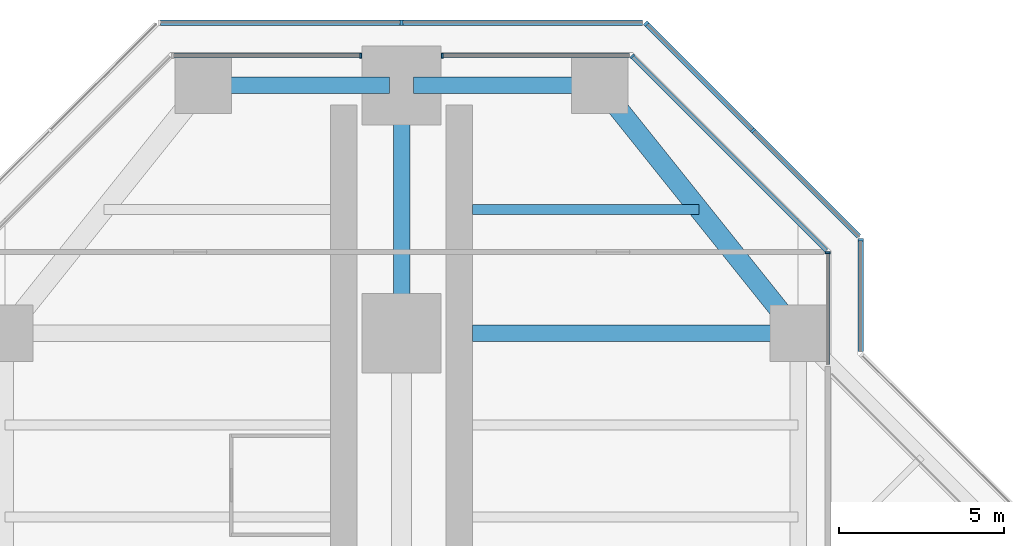
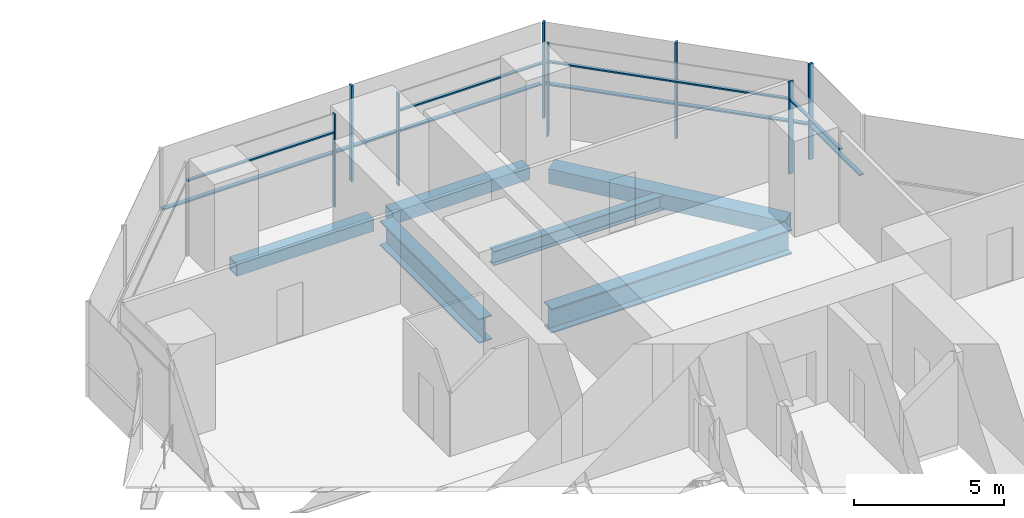
# One storey, part 10 of 19: 17 members, 6 beams, 7 elements without a shape of their own.
"""IFC4 building model written with IfcOpenShell, lengths in metres."""

from ifc_helpers import new_model, si_unit, direction, frame, origin, origin_2d, place, context, subcontext, project, spatial, rectangle, hollow_rectangle, i_section, extrude, material, material_profile, profile_set, type_object, element, aggregate, save


model = new_model("IFC4")

# Units and contexts
model_context = context("Model", 3, precision=1e-05, world=origin(), true_north=direction((0.0, 1.0)))
body_context = subcontext(model_context, "Body", "Model", "MODEL_VIEW")
ifc_project = project(units=[si_unit("LENGTHUNIT", "METRE"), si_unit("AREAUNIT", "SQUARE_METRE"), si_unit("VOLUMEUNIT", "CUBIC_METRE"), si_unit("PLANEANGLEUNIT", "RADIAN"), si_unit("MASSUNIT", "GRAM", prefix="KILO")], contexts=[model_context])

# Site, building, storey
site_placement = place(None, origin())
site = spatial("IfcSite", under=ifc_project, at=site_placement, CompositionType="ELEMENT")
building_placement = place(site_placement, origin())
building = spatial("IfcBuilding", under=site, at=building_placement, Name="Mizan Broadcast Tower", CompositionType="ELEMENT")
storey_placement = place(building_placement, frame((0.0, 0.0, 159.300048828125)))
storey = spatial("IfcBuildingStorey", under=building, at=storey_placement, Name="L36", CompositionType="ELEMENT", Elevation=159.300048828125)

# Beams
ifc_material_1 = material(Name="Steel S355", Category="steel")
ifc_material_profile_1 = material_profile(ifc_material_1, hollow_rectangle(XDim=0.5, YDim=0.5, WallThickness=0.030029296875, at=origin_2d()), Name="BOX 500x500x30")
ifc_profile_set_1 = profile_set([ifc_material_profile_1], Name="Steel S355")
beam_type_1 = type_object("IfcBeamType", Name="EDGE BEAM BOX 500x500x30", PredefinedType="SPANDREL", material=ifc_profile_set_1)
for number, where, z_axis, x_axis, name in (
    (1, (5.639892578125, 27.0, -0.380126953125), (-1.0, 0.0, 0.0), (0.0, -1.0, 0.0), "Edge beam BOX 500x500x30 L36 north arm"),
    (2, (-5.639892578125, 27.0, -0.380126953125), (1.0, 0.0, 0.0), (0.0, 1.0, 0.0), "Edge beam BOX 500x500x30 L36 north arm"),
):
    element("IfcBeam", number, at=place(storey_placement, frame(where, z_axis=z_axis, x_axis=x_axis)), inside=storey, type_object=beam_type_1, Name=name, PredefinedType="SPANDREL", context=body_context, shape_type="SweptSolid", body=[
        extrude(hollow_rectangle(XDim=0.5, YDim=0.5, WallThickness=0.030029296875, at=origin_2d()), origin(), (0.0, 0.0, 1.0), 5.27978515625),
    ])
ifc_material_2 = material(Name="Steel S355", Category="steel")
ifc_material_profile_2 = material_profile(ifc_material_2, hollow_rectangle(XDim=0.60009765625, YDim=0.60009765625, WallThickness=0.030029296875, at=origin_2d()), Name="BOX 600x600x30")
ifc_profile_set_2 = profile_set([ifc_material_profile_2], Name="Steel S355")
beam_type_2 = type_object("IfcBeamType", Name="EDGE BEAM BOX 600x600x30", PredefinedType="SPANDREL", material=ifc_profile_set_2)
beam_1_placement = place(storey_placement, frame((11.639892578125, 19.949951171875, -0.429931640625), z_axis=(-0.624673911726, 0.780885717636, 0.0), x_axis=(-0.780885717636, -0.624673911726, 0.0)))
element("IfcBeam", 3, at=beam_1_placement, inside=storey, type_object=beam_type_2, Name="Edge beam BOX 600x600x30 L36 north arm", PredefinedType="SPANDREL", context=body_context, shape_type="SweptSolid", body=[
    extrude(hollow_rectangle(XDim=0.60009765625, YDim=0.60009765625, WallThickness=0.030029296875, at=origin_2d()), origin(), (0.0, 0.0, 1.0), 8.4521484375),
])
ifc_material_3 = material(Name="Steel S460", Category="steel")
ifc_material_profile_3 = material_profile(ifc_material_3, i_section(OverallWidth=0.5, OverallDepth=1.0, WebThickness=0.02490234375, FlangeThickness=0.050048828125, at=origin_2d()), Name="WPG 1000x500")
ifc_profile_set_3 = profile_set([ifc_material_profile_3], Name="Steel S460")
beam_type_3 = type_object("IfcBeamType", Name="GIRDER WPG 1000x500", PredefinedType="BEAM", material=ifc_profile_set_3)
beam_2_placement = place(storey_placement, frame((0.0, 19.949951171875, -0.630126953125), z_axis=(0.0, 1.0, 0.0), x_axis=(-1.0, 0.0, 0.0)))
element("IfcBeam", 4, at=beam_2_placement, inside=storey, type_object=beam_type_3, Name="Girder WPG 1000x500 L36 north arm", PredefinedType="BEAM", context=body_context, shape_type="SweptSolid", body=[
    extrude(i_section(OverallWidth=0.5, OverallDepth=1.0, WebThickness=0.02490234375, FlangeThickness=0.050048828125, at=origin_2d()), origin(), (0.0, 0.0, 1.0), 6.60009765625),
])
beam_3_placement = place(storey_placement, frame((11.408935546875, 19.5, -0.630126953125), z_axis=(-1.0, 0.0, 0.0), x_axis=(0.0, -1.0, 0.0)))
element("IfcBeam", 5, at=beam_3_placement, inside=storey, type_object=beam_type_3, Name="Girder WPG 1000x500 L36 north arm", PredefinedType="BEAM", context=body_context, shape_type="SweptSolid", body=[
    extrude(i_section(OverallWidth=0.5, OverallDepth=1.0, WebThickness=0.02490234375, FlangeThickness=0.050048828125, at=origin_2d()), origin(), (0.0, 0.0, 1.0), 9.259033203125),
])

# Curtain wall, member
ifc_material_4 = material(Name="Aluminium framed glazing", Category="aluminium")
curtain_wall_type_1 = type_object("IfcCurtainWallType", Name="INNER SKIN MID ZONE", PredefinedType="USERDEFINED", material=ifc_material_4)
curtain_wall_1_placement = place(storey_placement, origin())
curtain_wall_1 = element("IfcCurtainWall", 6, at=curtain_wall_1_placement, inside=storey, type_object=curtain_wall_type_1, Name="Inner skin mid zone L36 N side", ObjectType="INNER SKIN MID ZONE", PredefinedType="USERDEFINED")
ifc_material_5 = material(Name="Aluminium, pale anodised", Category="aluminium")
ifc_material_profile_4 = material_profile(ifc_material_5, rectangle(XDim=0.159912109375, YDim=0.06005859375, at=origin_2d()), Name="MULLION 160x60")
ifc_profile_set_4 = profile_set([ifc_material_profile_4], Name="Aluminium, pale anodised")
member_type_1 = type_object("IfcMemberType", Name="INNER SKIN MULLION 60x160", PredefinedType="MULLION", material=ifc_profile_set_4)
member_1_placement = place(storey_placement, frame((12.89990234375, 21.928466796875, 0.0), z_axis=(0.0, 0.0, 1.0), x_axis=(-1.0, 0.0, 0.0)))
member_1 = element("IfcMember", 7, at=member_1_placement, type_object=member_type_1, Name="Inner skin mid zone L36 N side mullion 2", PredefinedType="MULLION", context=body_context, shape_type="SweptSolid", body=[
    extrude(rectangle(XDim=0.159912109375, YDim=0.06005859375, at=origin_2d()), origin(), (0.0, 0.0, 1.0), 3.77001953125),
])

curtain_wall_2_placement = place(storey_placement, origin())
curtain_wall_2 = element("IfcCurtainWall", 8, at=curtain_wall_2_placement, inside=storey, type_object=curtain_wall_type_1, Name="Inner skin mid zone L36 N chamfer", ObjectType="INNER SKIN MID ZONE", PredefinedType="USERDEFINED")
member_2_placement = place(storey_placement, frame((6.979736328125, 27.87890625, 0.0), z_axis=(0.0, 0.0, 1.0), x_axis=(-0.707106781187, -0.707106781187, 0.0)))
member_2 = element("IfcMember", 9, at=member_2_placement, type_object=member_type_1, Name="Inner skin mid zone L36 N chamfer mullion 2", PredefinedType="MULLION", context=body_context, shape_type="SweptSolid", body=[
    extrude(rectangle(XDim=0.159912109375, YDim=0.06005859375, at=origin_2d()), origin(), (0.0, 0.0, 1.0), 3.77001953125),
])

curtain_wall_3_placement = place(storey_placement, origin())
curtain_wall_3 = element("IfcCurtainWall", 10, at=curtain_wall_3_placement, inside=storey, type_object=curtain_wall_type_1, Name="Inner skin mid zone L36 N end", ObjectType="INNER SKIN MID ZONE", PredefinedType="USERDEFINED")
member_3_placement = place(storey_placement, frame((1.22998046875, 27.89990234375, 0.0), z_axis=(0.0, 0.0, 1.0), x_axis=(0.0, -1.0, 0.0)))
member_3 = element("IfcMember", 11, at=member_3_placement, type_object=member_type_1, Name="Inner skin mid zone L36 N end mullion 2", PredefinedType="MULLION", context=body_context, shape_type="SweptSolid", body=[
    extrude(rectangle(XDim=0.159912109375, YDim=0.06005859375, at=origin_2d()), origin(), (0.0, 0.0, 1.0), 3.77001953125),
])

curtain_wall_4_placement = place(storey_placement, origin())
curtain_wall_4 = element("IfcCurtainWall", 12, at=curtain_wall_4_placement, inside=storey, type_object=curtain_wall_type_1, Name="Inner skin mid zone L36 N end", ObjectType="INNER SKIN MID ZONE", PredefinedType="USERDEFINED")
member_4_placement = place(storey_placement, frame((-1.22998046875, 27.89990234375, 0.0), z_axis=(0.0, 0.0, 1.0), x_axis=(0.0, -1.0, 0.0)))
member_4 = element("IfcMember", 13, at=member_4_placement, type_object=member_type_1, Name="Inner skin mid zone L36 N end mullion 1", PredefinedType="MULLION", context=body_context, shape_type="SweptSolid", body=[
    extrude(rectangle(XDim=0.159912109375, YDim=0.06005859375, at=origin_2d()), origin(), (0.0, 0.0, 1.0), 3.77001953125),
])

# Member
ifc_material_6 = material(Name="Aluminium, pale anodised", Category="aluminium")
ifc_material_profile_5 = material_profile(ifc_material_6, rectangle(XDim=0.1201171875, YDim=0.06005859375, at=origin_2d()), Name="TRANSOM 120x60")
ifc_profile_set_5 = profile_set([ifc_material_profile_5], Name="Aluminium, pale anodised")
member_type_2 = type_object("IfcMemberType", Name="INNER SKIN TRANSOM 60x120", PredefinedType="USERDEFINED", material=ifc_profile_set_5)
member_5_placement = place(storey_placement, frame((12.89990234375, 18.56005859375, 3.030029296875), z_axis=(0.0, 1.0, 0.0), x_axis=(-1.0, 0.0, 0.0)))
member_5 = element("IfcMember", 14, at=member_5_placement, type_object=member_type_2, Name="Inner skin mid zone L36 N side transom 1.1", ObjectType="TRANSOM", PredefinedType="USERDEFINED", context=body_context, shape_type="SweptSolid", body=[
    extrude(rectangle(XDim=0.1201171875, YDim=0.06005859375, at=origin_2d()), origin(), (0.0, 0.0, 1.0), 3.338623046875),
])

aggregate(curtain_wall_1, [member_1, member_5])

member_6_placement = place(storey_placement, frame((12.857666015625, 22.0009765625, 3.030029296875), z_axis=(-0.707106781187, 0.707106781187, 0.0), x_axis=(-0.707106781187, -0.707106781187, 0.0)))
member_6 = element("IfcMember", 15, at=member_6_placement, type_object=member_type_2, Name="Inner skin mid zone L36 N chamfer transom 1.1", ObjectType="TRANSOM", PredefinedType="USERDEFINED", context=body_context, shape_type="SweptSolid", body=[
    extrude(rectangle(XDim=0.1201171875, YDim=0.06005859375, at=origin_2d()), origin(), (0.0, 0.0, 1.0), 8.28271484375),
])

aggregate(curtain_wall_2, [member_2, member_6])

member_7_placement = place(storey_placement, frame((6.898681640625, 27.89990234375, 3.030029296875), z_axis=(-1.0, 0.0, 0.0), x_axis=(0.0, -1.0, 0.0)))
member_7 = element("IfcMember", 16, at=member_7_placement, type_object=member_type_2, Name="Inner skin mid zone L36 N end transom 1.1", ObjectType="TRANSOM", PredefinedType="USERDEFINED", context=body_context, shape_type="SweptSolid", body=[
    extrude(rectangle(XDim=0.1201171875, YDim=0.06005859375, at=origin_2d()), origin(), (0.0, 0.0, 1.0), 5.638671875),
])

aggregate(curtain_wall_3, [member_3, member_7])

member_8_placement = place(storey_placement, frame((-1.260009765625, 27.89990234375, 3.030029296875), z_axis=(-1.0, 0.0, 0.0), x_axis=(0.0, -1.0, 0.0)))
member_8 = element("IfcMember", 17, at=member_8_placement, type_object=member_type_2, Name="Inner skin mid zone L36 N end transom 1.1", ObjectType="TRANSOM", PredefinedType="USERDEFINED", context=body_context, shape_type="SweptSolid", body=[
    extrude(rectangle(XDim=0.1201171875, YDim=0.06005859375, at=origin_2d()), origin(), (0.0, 0.0, 1.0), 5.638671875),
])

aggregate(curtain_wall_4, [member_4, member_8])

# Curtain wall, member
ifc_material_7 = material(Name="Aluminium framed glazing", Category="aluminium")
curtain_wall_type_2 = type_object("IfcCurtainWallType", Name="OUTER SKIN", PredefinedType="USERDEFINED", material=ifc_material_7)
curtain_wall_5_placement = place(storey_placement, origin())
curtain_wall_5 = element("IfcCurtainWall", 18, at=curtain_wall_5_placement, inside=storey, type_object=curtain_wall_type_2, Name="Outer skin L36 N side", ObjectType="OUTER SKIN", PredefinedType="USERDEFINED")
ifc_material_8 = material(Name="Aluminium, pale anodised", Category="aluminium")
ifc_material_profile_6 = material_profile(ifc_material_8, rectangle(XDim=0.159912109375, YDim=0.080078125, at=origin_2d()), Name="MULLION 160x80")
ifc_profile_set_6 = profile_set([ifc_material_profile_6], Name="Aluminium, pale anodised")
member_type_3 = type_object("IfcMemberType", Name="OUTER SKIN MULLION 80x160", PredefinedType="MULLION", material=ifc_profile_set_6)
member_9_placement = place(storey_placement, frame((13.89990234375, 22.332763671875, 0.0), z_axis=(0.0, 0.0, 1.0), x_axis=(-1.0, 0.0, 0.0)))
member_9 = element("IfcMember", 19, at=member_9_placement, type_object=member_type_3, Name="Outer skin L36 N side mullion 2", PredefinedType="MULLION", context=body_context, shape_type="SweptSolid", body=[
    extrude(rectangle(XDim=0.159912109375, YDim=0.080078125, at=origin_2d()), origin(), (0.0, 0.0, 1.0), 3.89990234375),
])

# Curtain wall, members
curtain_wall_6_placement = place(storey_placement, origin())
curtain_wall_6 = element("IfcCurtainWall", 20, at=curtain_wall_6_placement, inside=storey, type_object=curtain_wall_type_2, Name="Outer skin L36 N chamfer", ObjectType="OUTER SKIN", PredefinedType="USERDEFINED")
member_10_placement = place(storey_placement, frame((10.636474609375, 25.636474609375, 0.0), z_axis=(0.0, 0.0, 1.0), x_axis=(-0.707106781187, -0.707106781187, 0.0)))
member_10 = element("IfcMember", 21, at=member_10_placement, type_object=member_type_3, Name="Outer skin L36 N chamfer mullion 2", PredefinedType="MULLION", context=body_context, shape_type="SweptSolid", body=[
    extrude(rectangle(XDim=0.159912109375, YDim=0.080078125, at=origin_2d()), origin(), (0.0, 0.0, 1.0), 3.89990234375),
])
member_11_placement = place(storey_placement, frame((7.401123046875, 28.871826171875, 0.0), z_axis=(0.0, 0.0, 1.0), x_axis=(-0.707106781187, -0.707106781187, 0.0)))
member_11 = element("IfcMember", 22, at=member_11_placement, type_object=member_type_3, Name="Outer skin L36 N chamfer mullion 3", PredefinedType="MULLION", context=body_context, shape_type="SweptSolid", body=[
    extrude(rectangle(XDim=0.159912109375, YDim=0.080078125, at=origin_2d()), origin(), (0.0, 0.0, 1.0), 3.89990234375),
])

# Curtain wall, member
curtain_wall_7_placement = place(storey_placement, origin())
curtain_wall_7 = element("IfcCurtainWall", 23, at=curtain_wall_7_placement, inside=storey, type_object=curtain_wall_type_2, Name="Outer skin L36 N end", ObjectType="OUTER SKIN", PredefinedType="USERDEFINED")
member_12_placement = place(storey_placement, frame((0.0, 28.89990234375, 0.0), z_axis=(0.0, 0.0, 1.0), x_axis=(0.0, -1.0, 0.0)))
member_12 = element("IfcMember", 24, at=member_12_placement, type_object=member_type_3, Name="Outer skin L36 N end mullion 2", PredefinedType="MULLION", context=body_context, shape_type="SweptSolid", body=[
    extrude(rectangle(XDim=0.159912109375, YDim=0.080078125, at=origin_2d()), origin(), (0.0, 0.0, 1.0), 3.89990234375),
])

# Member
ifc_material_9 = material(Name="Aluminium, pale anodised", Category="aluminium")
ifc_material_profile_7 = material_profile(ifc_material_9, rectangle(XDim=0.159912109375, YDim=0.06005859375, at=origin_2d()), Name="TRANSOM 160x60")
ifc_profile_set_7 = profile_set([ifc_material_profile_7], Name="Aluminium, pale anodised")
member_type_4 = type_object("IfcMemberType", Name="OUTER SKIN TRANSOM 60x160", PredefinedType="USERDEFINED", material=ifc_profile_set_7)
member_13_placement = place(storey_placement, frame((13.89990234375, 18.952880859375, 1.39990234375), z_axis=(0.0, 1.0, 0.0), x_axis=(-1.0, 0.0, 0.0)))
member_13 = element("IfcMember", 25, at=member_13_placement, type_object=member_type_4, Name="Outer skin L36 N side transom 1.1", ObjectType="TRANSOM", PredefinedType="USERDEFINED", context=body_context, shape_type="SweptSolid", body=[
    extrude(rectangle(XDim=0.159912109375, YDim=0.06005859375, at=origin_2d()), origin(), (0.0, 0.0, 1.0), 3.33984375),
])

aggregate(curtain_wall_5, [member_9, member_13])

member_14_placement = place(storey_placement, frame((13.843505859375, 22.429443359375, 1.39990234375), z_axis=(-0.707106781187, 0.707106781187, 0.0), x_axis=(-0.707106781187, -0.707106781187, 0.0)))
member_14 = element("IfcMember", 26, at=member_14_placement, type_object=member_type_4, Name="Outer skin L36 N chamfer transom 1.1", ObjectType="TRANSOM", PredefinedType="USERDEFINED", context=body_context, shape_type="SweptSolid", body=[
    extrude(rectangle(XDim=0.159912109375, YDim=0.06005859375, at=origin_2d()), origin(), (0.0, 0.0, 1.0), 4.495361328125),
])

member_15_placement = place(storey_placement, frame((10.608154296875, 25.664794921875, 1.39990234375), z_axis=(-0.707106781187, 0.707106781187, 0.0), x_axis=(-0.707106781187, -0.707106781187, 0.0)))
member_15 = element("IfcMember", 27, at=member_15_placement, type_object=member_type_4, Name="Outer skin L36 N chamfer transom 2.1", ObjectType="TRANSOM", PredefinedType="USERDEFINED", context=body_context, shape_type="SweptSolid", body=[
    extrude(rectangle(XDim=0.159912109375, YDim=0.06005859375, at=origin_2d()), origin(), (0.0, 0.0, 1.0), 4.495361328125),
])

aggregate(curtain_wall_6, [member_10, member_11, member_14, member_15])

member_16_placement = place(storey_placement, frame((7.292724609375, 28.89990234375, 1.39990234375), z_axis=(-1.0, 0.0, 0.0), x_axis=(0.0, -1.0, 0.0)))
member_16 = element("IfcMember", 28, at=member_16_placement, type_object=member_type_4, Name="Outer skin L36 N end transom 1.1", ObjectType="TRANSOM", PredefinedType="USERDEFINED", context=body_context, shape_type="SweptSolid", body=[
    extrude(rectangle(XDim=0.159912109375, YDim=0.06005859375, at=origin_2d()), origin(), (0.0, 0.0, 1.0), 7.252685546875),
])

member_17_placement = place(storey_placement, frame((-0.0400390625, 28.89990234375, 1.39990234375), z_axis=(-1.0, 0.0, 0.0), x_axis=(0.0, -1.0, 0.0)))
member_17 = element("IfcMember", 29, at=member_17_placement, type_object=member_type_4, Name="Outer skin L36 N end transom 2.1", ObjectType="TRANSOM", PredefinedType="USERDEFINED", context=body_context, shape_type="SweptSolid", body=[
    extrude(rectangle(XDim=0.159912109375, YDim=0.06005859375, at=origin_2d()), origin(), (0.0, 0.0, 1.0), 7.252685546875),
])

aggregate(curtain_wall_7, [member_12, member_16, member_17])

# Beam
ifc_material_10 = material(Name="Steel S355", Category="steel")
ifc_material_profile_8 = material_profile(ifc_material_10, i_section(OverallWidth=0.300048828125, OverallDepth=0.590087890625, WebThickness=0.012939453125, FlangeThickness=0.02490234375, FilletRadius=0.027099609375, at=origin_2d()), Name="HEA 600")
ifc_profile_set_8 = profile_set([ifc_material_profile_8], Name="Steel S355")
beam_type_4 = type_object("IfcBeamType", Name="SECONDARY BEAM HEA 600", PredefinedType="JOIST", material=ifc_profile_set_8)
beam_4_placement = place(storey_placement, frame((9.0, 23.25, -0.425048828125), z_axis=(-1.0, 0.0, 0.0), x_axis=(0.0, -1.0, 0.0)))
element("IfcBeam", 30, at=beam_4_placement, inside=storey, type_object=beam_type_4, Name="Secondary beam HEA 600 L36 north arm", PredefinedType="JOIST", context=body_context, shape_type="SweptSolid", body=[
    extrude(i_section(OverallWidth=0.300048828125, OverallDepth=0.590087890625, WebThickness=0.012939453125, FlangeThickness=0.02490234375, FilletRadius=0.027099609375, at=origin_2d()), origin(), (0.0, 0.0, 1.0), 6.85009765625),
])

save(model, "model.ifc")
